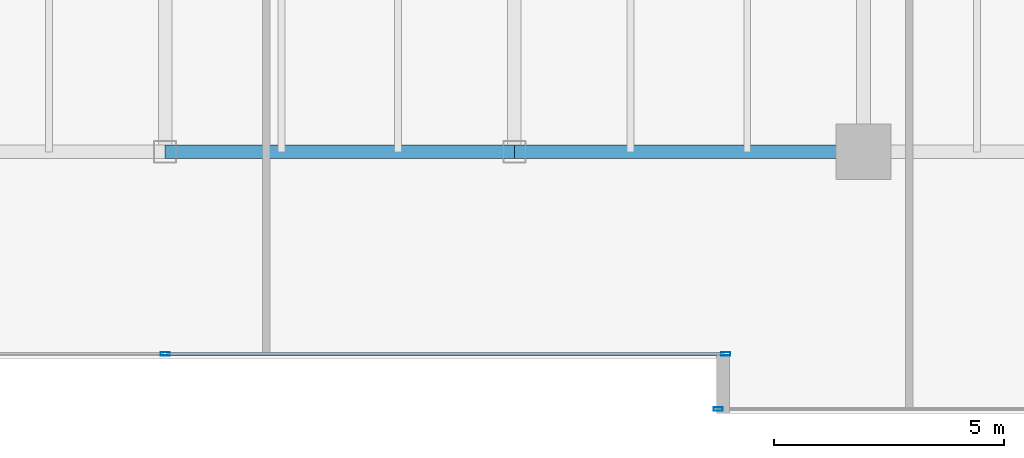
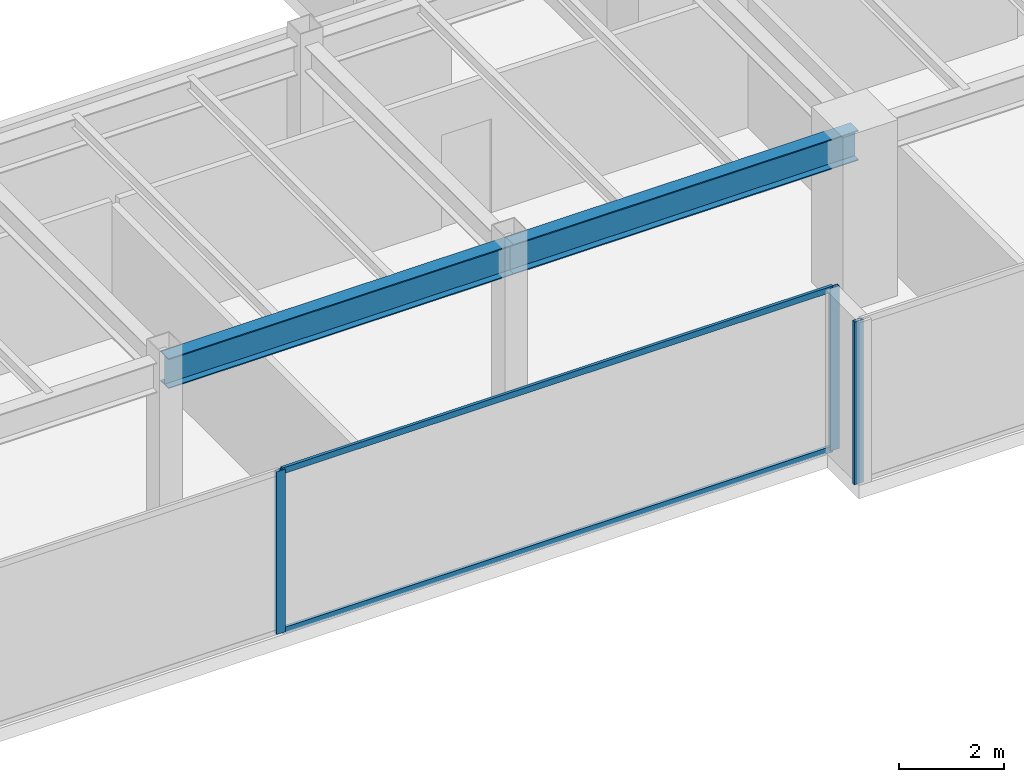
# One storey, part 10 of 30: 5 members, 2 beams, 2 elements without a shape of their own.
"""IFC4 building model written with IfcOpenShell, lengths in metres."""

from ifc_helpers import new_model, si_unit, direction, frame, origin, origin_2d, place, context, subcontext, project, spatial, hollow_rectangle, i_section, extrude, source, transform, mapped, material, layer, layer_set, material_profile, profile_set, type_object, type_shapes, element, aggregate, save


model = new_model("IFC4")

# Units and contexts
model_context = context("Model", 3, precision=1e-05, world=origin(), true_north=direction((0.0, 1.0)))
body_context = subcontext(model_context, "Body", "Model", "MODEL_VIEW")
ifc_project = project(units=[si_unit("LENGTHUNIT", "METRE"), si_unit("AREAUNIT", "SQUARE_METRE"), si_unit("VOLUMEUNIT", "CUBIC_METRE"), si_unit("PLANEANGLEUNIT", "RADIAN"), si_unit("MASSUNIT", "GRAM", prefix="KILO")], contexts=[model_context])

# Site, building, storey
site_placement = place(None, origin())
site = spatial("IfcSite", under=ifc_project, at=site_placement, CompositionType="ELEMENT")
building_placement = place(site_placement, origin())
building = spatial("IfcBuilding", under=site, at=building_placement, Name="Haelvirn Gate Laboratories", CompositionType="ELEMENT")
storey_placement = place(building_placement, frame((0.0, 0.0, 183.0)))
storey = spatial("IfcBuildingStorey", under=building, at=storey_placement, Name="L44", CompositionType="ELEMENT", Elevation=183.0)

# Beams
ifc_material_1 = material(Name="Steel SM355", Category="steel")
ifc_material_profile_1 = material_profile(ifc_material_1, i_section(OverallWidth=0.300048828125, OverallDepth=0.699951171875, WebThickness=0.012939453125, FlangeThickness=0.02392578125, at=origin_2d()), Name="H-700x300x13x24")
ifc_profile_set_1 = profile_set([ifc_material_profile_1], Name="Steel SM355")
beam_type = type_object("IfcBeamType", Name="BM-G-700", PredefinedType="BEAM", material=ifc_profile_set_1)
shared_shape_1 = source(origin(), body_context, "Body", "SweptSolid", [
    extrude(i_section(OverallWidth=0.300048828125, OverallDepth=0.699951171875, WebThickness=0.012939453125, FlangeThickness=0.02392578125, at=origin_2d()), origin(), (0.0, 0.0, 1.0), 7.60009765625),
])
type_shapes(beam_type, [shared_shape_1])
for number, where, z_axis, x_axis, name in (
    (1, (37.39990234375, 7.0, 3.43994140625), (1.0, 0.0, 0.0), (0.0, 1.0, 0.0), "L44 Primary Girder Y7.0 (37.4-45.0)"),
    (2, (45.0, 7.0, 3.43994140625), (1.0, 0.0, 0.0), (0.0, 1.0, 0.0), "L44 Primary Girder Y7.0 (45.0-52.6)"),
):
    element("IfcBeam", number, at=place(storey_placement, frame(where, z_axis=z_axis, x_axis=x_axis)), inside=storey, type_object=beam_type, Name=name, PredefinedType="BEAM", context=body_context, shape_type="MappedRepresentation", body=[
        mapped(shared_shape_1, transform((0.0, 0.0, 0.0), scale=1.0)),
    ])

# Curtain wall, members
ifc_material_2 = material(Name="Anodised bronze unitised aluminium & triple low-E glass", Category="aluminium")
ifc_layer = layer(ifc_material_2, 0.179931640625, Name="CW-SYS-3")
ifc_layer_set = layer_set([ifc_layer], Name="Anodised bronze unitised aluminium & triple low-E glass")
curtain_wall_type = type_object("IfcCurtainWallType", Name="CW-SYS-3", PredefinedType="NOTDEFINED", material=ifc_layer_set)
curtain_wall_1_placement = place(storey_placement, origin())
curtain_wall_1 = element("IfcCurtainWall", 3, at=curtain_wall_1_placement, inside=storey, type_object=curtain_wall_type, Name="L44 Unitised Curtain Wall CW-L44-P0-E02-1", PredefinedType="NOTDEFINED")
ifc_material_3 = material(Name="Extruded aluminium 6063-T6 (anodised bronze)", Category="aluminium")
ifc_material_profile_2 = material_profile(ifc_material_3, hollow_rectangle(XDim=0.06494140625, YDim=0.139892578125, WallThickness=0.00390625, at=origin_2d()), Name="CWT-140x65x4")
ifc_profile_set_2 = profile_set([ifc_material_profile_2], Name="Extruded aluminium 6063-T6 (anodised bronze)")
member_type_1 = type_object("IfcMemberType", Name="CWT-T140", PredefinedType="USERDEFINED", material=ifc_profile_set_2)
shared_shape_2 = source(origin(), body_context, "Body", "SweptSolid", [
    extrude(hollow_rectangle(XDim=0.06494140625, YDim=0.139892578125, WallThickness=0.00390625, at=origin_2d()), origin(), (0.0, 0.0, 1.0), 12.12744140625),
])
type_shapes(member_type_1, [shared_shape_2])
member_1_placement = place(storey_placement, frame((37.4375, 2.60009765625, 0.032470703125), z_axis=(1.0, 0.0, 0.0), x_axis=(0.0, 1.0, 0.0)))
member_1 = element("IfcMember", 4, at=member_1_placement, type_object=member_type_1, Name="CW3 transom 2.1", ObjectType="TRANSOM", PredefinedType="USERDEFINED", context=body_context, shape_type="MappedRepresentation", body=[
    mapped(shared_shape_2, transform((0.0, 0.0, 0.0), scale=1.0)),
])
member_2_placement = place(storey_placement, frame((37.4375, 2.60009765625, 3.757568359375), z_axis=(1.0, 0.0, 0.0), x_axis=(0.0, 1.0, 0.0)))
member_2 = element("IfcMember", 5, at=member_2_placement, type_object=member_type_1, Name="CW3 transom 2.2", ObjectType="TRANSOM", PredefinedType="USERDEFINED", context=body_context, shape_type="MappedRepresentation", body=[
    mapped(shared_shape_2, transform((0.0, 0.0, 0.0), scale=1.0)),
])
ifc_material_profile_3 = material_profile(ifc_material_3, hollow_rectangle(XDim=0.074951171875, YDim=0.199951171875, WallThickness=0.0048828125, at=origin_2d()), Name="CWM-200x75x5")
ifc_profile_set_3 = profile_set([ifc_material_profile_3], Name="Extruded aluminium 6063-T6 (anodised bronze)")
member_type_2 = type_object("IfcMemberType", Name="CWM-T200", PredefinedType="MULLION", material=ifc_profile_set_3)
shared_shape_3 = source(origin(), body_context, "Body", "SweptSolid", [
    extrude(hollow_rectangle(XDim=0.074951171875, YDim=0.199951171875, WallThickness=0.0048828125, at=origin_2d()), origin(), (0.0, 0.0, 1.0), 3.7900390625),
])
type_shapes(member_type_2, [shared_shape_3])
member_3_placement = place(storey_placement, frame((37.39990234375, 2.60009765625, 0.0), z_axis=(0.0, 0.0, 1.0), x_axis=(0.0, 1.0, 0.0)))
member_3 = element("IfcMember", 6, at=member_3_placement, type_object=member_type_2, Name="CW3 mullion 2", PredefinedType="MULLION", context=body_context, shape_type="MappedRepresentation", body=[
    mapped(shared_shape_3, transform((0.0, 0.0, 0.0), scale=1.0)),
])
member_4_placement = place(storey_placement, frame((49.6025390625, 2.60009765625, 0.0), z_axis=(0.0, 0.0, 1.0), x_axis=(0.0, 1.0, 0.0)))
member_4 = element("IfcMember", 7, at=member_4_placement, type_object=member_type_2, Name="CW3 mullion 3", PredefinedType="MULLION", context=body_context, shape_type="MappedRepresentation", body=[
    mapped(shared_shape_3, transform((0.0, 0.0, 0.0), scale=1.0)),
])
aggregate(curtain_wall_1, [member_3, member_4, member_1, member_2])

# Curtain wall, member
curtain_wall_2_placement = place(storey_placement, origin())
curtain_wall_2 = element("IfcCurtainWall", 8, at=curtain_wall_2_placement, inside=storey, type_object=curtain_wall_type, Name="L44 Unitised Curtain Wall CW-L44-P0-E04-1", PredefinedType="NOTDEFINED")
member_5_placement = place(storey_placement, frame((49.4375, 1.39990234375, 0.0), z_axis=(0.0, 0.0, 1.0), x_axis=(0.0, 1.0, 0.0)))
member_5 = element("IfcMember", 9, at=member_5_placement, type_object=member_type_2, Name="CW3 mullion 1", PredefinedType="MULLION", context=body_context, shape_type="MappedRepresentation", body=[
    mapped(shared_shape_3, transform((0.0, 0.0, 0.0), scale=1.0)),
])
aggregate(curtain_wall_2, [member_5])

save(model, "model.ifc")
